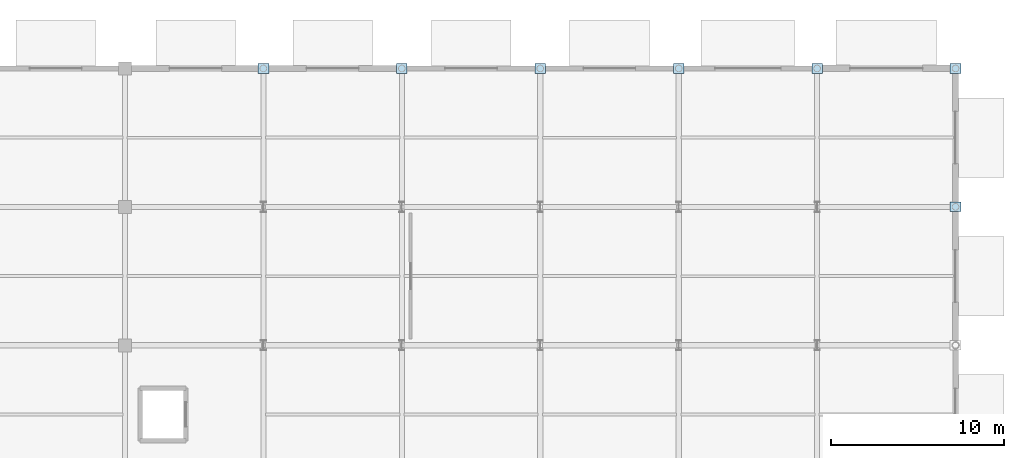
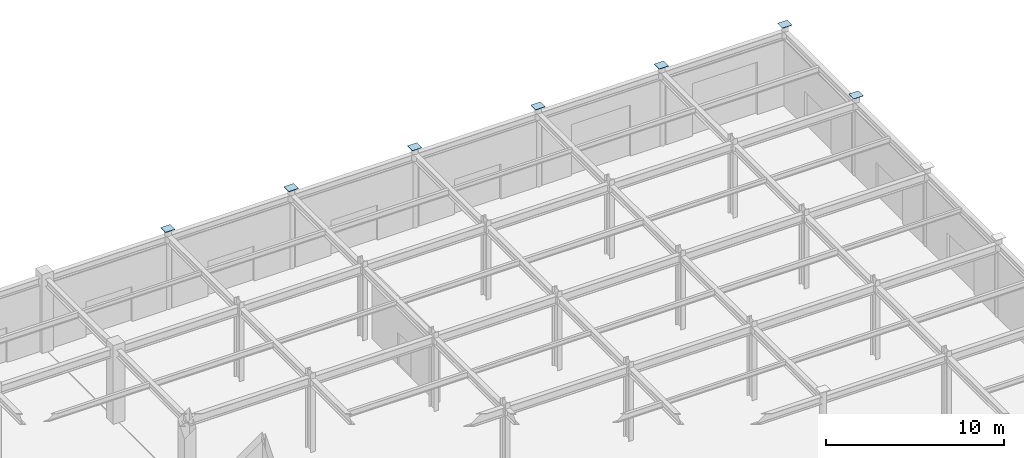
# One storey, part 21 of 39: 7 plates.
"""IFC4 building model written with IfcOpenShell, lengths in metres."""

from ifc_helpers import new_model, si_unit, direction, frame, origin, origin_2d, place, context, subcontext, project, spatial, rectangle, extrude, material, layer, layer_set, type_object, element, save


model = new_model("IFC4")

# Units and contexts
model_context = context("Model", 3, precision=1e-05, world=origin(), true_north=direction((0.0, 1.0)))
body_context = subcontext(model_context, "Body", "Model", "MODEL_VIEW")
ifc_project = project(units=[si_unit("LENGTHUNIT", "METRE"), si_unit("AREAUNIT", "SQUARE_METRE"), si_unit("VOLUMEUNIT", "CUBIC_METRE"), si_unit("PLANEANGLEUNIT", "RADIAN"), si_unit("MASSUNIT", "GRAM", prefix="KILO")], contexts=[model_context])

# Site, building, storey
site_placement = place(None, origin())
site = spatial("IfcSite", under=ifc_project, at=site_placement, CompositionType="ELEMENT")
building_placement = place(site_placement, origin())
building = spatial("IfcBuilding", under=site, at=building_placement, Name="Tazarka Park Arena", CompositionType="ELEMENT")
storey_placement = place(building_placement, origin())
storey = spatial("IfcBuildingStorey", under=building, at=storey_placement, Name="L00", CompositionType="ELEMENT", Elevation=0.0)

# Plates
ifc_material = material(Name="Steel S460", Category="steel")
ifc_layer = layer(ifc_material, 0.030029296875, Name="Steel S460")
ifc_layer_set = layer_set([ifc_layer], Name="Steel S460")
plate_type = type_object("IfcPlateType", Name="PLT-PL-01", PredefinedType="SHEET", material=ifc_layer_set)
for number, where, z_axis, x_axis, name in (
    (1, (144.0, 128.0, 5.39990234375), (0.0, 0.0, 1.0), (1.0, 0.0, 0.0), "CPL-L00-18-16"),
    (2, (152.0, 128.0, 5.39990234375), (0.0, 0.0, 1.0), (1.0, 0.0, 0.0), "CPL-L00-19-16"),
    (3, (160.0, 128.0, 5.39990234375), (0.0, 0.0, 1.0), (1.0, 0.0, 0.0), "CPL-L00-20-16"),
    (4, (168.0, 128.0, 5.39990234375), (0.0, 0.0, 1.0), (1.0, 0.0, 0.0), "CPL-L00-21-16"),
    (5, (176.0, 128.0, 5.39990234375), (0.0, 0.0, 1.0), (1.0, 0.0, 0.0), "CPL-L00-22-16"),
    (6, (184.0, 120.0, 5.39990234375), (0.0, 0.0, 1.0), (1.0, 0.0, 0.0), "CPL-L00-23-15"),
    (7, (184.0, 128.0, 5.39990234375), (0.0, 0.0, 1.0), (1.0, 0.0, 0.0), "CPL-L00-23-16"),
):
    element("IfcPlate", number, at=place(storey_placement, frame(where, z_axis=z_axis, x_axis=x_axis)), inside=storey, type_object=plate_type, Name=name, PredefinedType="SHEET", context=body_context, shape_type="SweptSolid", body=[
        extrude(rectangle(XDim=0.6201171875, YDim=0.56005859375, at=origin_2d()), origin(), (0.0, 0.0, 1.0), 0.030029296875),
    ])

save(model, "model.ifc")
